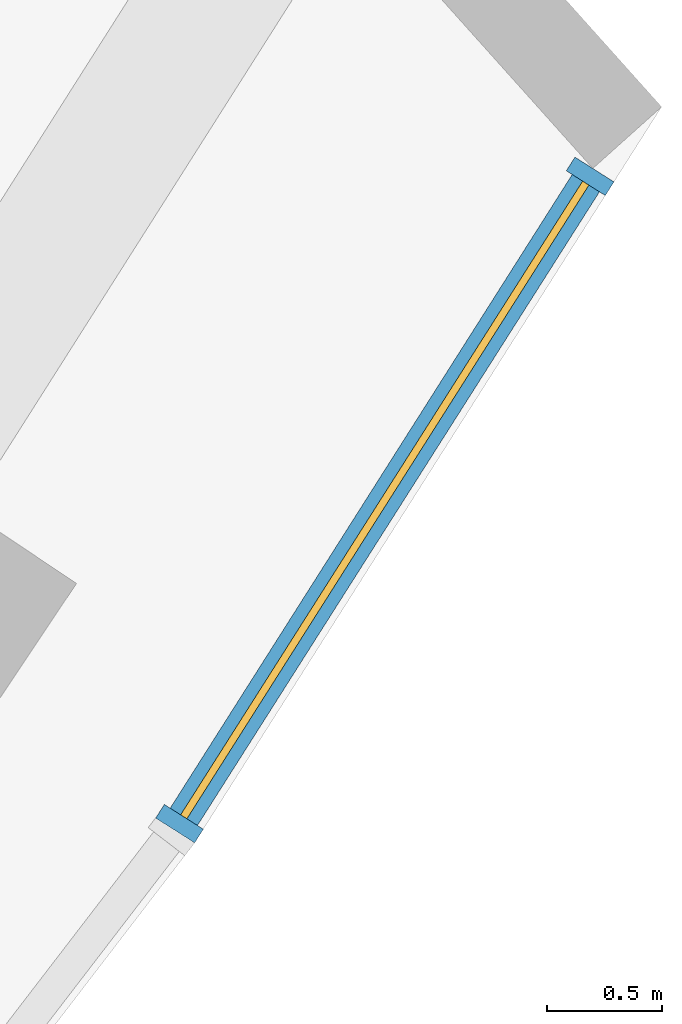
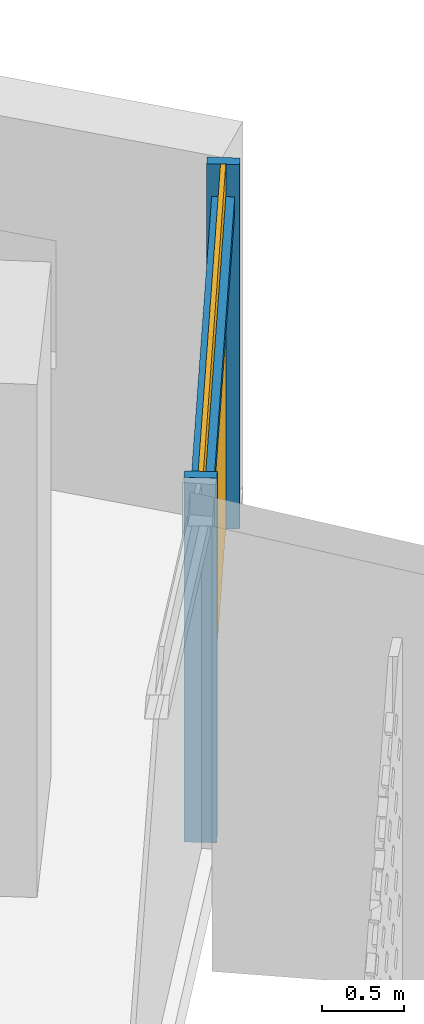
# One storey, part 23 of 31: 3 members, 1 curtain wall.
"""IFC4 building model written with IfcOpenShell, lengths in metres."""

from ifc_helpers import new_model, si_unit, direction, frame, origin, origin_2d, place, context, subcontext, project, spatial, rectangle, extrude, material, material_profile, profile_set, type_object, element, aggregate, save


model = new_model("IFC4")

# Units and contexts
model_context = context("Model", 3, precision=1e-05, world=origin(), true_north=direction((0.0, 1.0)))
body_context = subcontext(model_context, "Body", "Model", "MODEL_VIEW")
ifc_project = project(units=[si_unit("LENGTHUNIT", "METRE"), si_unit("AREAUNIT", "SQUARE_METRE"), si_unit("VOLUMEUNIT", "CUBIC_METRE"), si_unit("PLANEANGLEUNIT", "RADIAN"), si_unit("MASSUNIT", "GRAM", prefix="KILO")], contexts=[model_context])

# Member
ifc_material = material(Name="Aluminium 6063-T6 anodised", Category="aluminium")
ifc_material_profile_1 = material_profile(ifc_material, rectangle(XDim=0.199951171875, YDim=0.070068359375, at=origin_2d()))
ifc_profile_set_1 = profile_set([ifc_material_profile_1], Name="Aluminium 6063-T6 anodised")
member_type_1 = type_object("IfcMemberType", Name="Mullion 70 x 200 aluminium", PredefinedType="MULLION", material=ifc_profile_set_1)
site_placement = place(None, origin())
building_placement = place(site_placement, origin())
storey_placement = place(building_placement, frame((0.0, 0.0, 86.10009765625)))
member_1_placement = place(storey_placement, frame((66.160888671875, -44.16796875, 0.0), z_axis=(0.0, 0.0, 1.0), x_axis=(-0.844405785473, 0.535704087589, 0.0)))
member_1 = element("IfcMember", 1, at=member_1_placement, type_object=member_type_1, Name="e-cw1-L18-out16/M00", PredefinedType="MULLION", context=body_context, shape_type="SweptSolid", body=[
    extrude(rectangle(XDim=0.199951171875, YDim=0.070068359375, at=origin_2d()), origin(), (0.0, 0.0, 1.0), 2.699951171875),
])

member_2_placement = place(storey_placement, frame((67.93994140625, -41.363525390625, 0.0), z_axis=(0.0, 0.0, 1.0), x_axis=(-0.844405785473, 0.535704087589, 0.0)))
member_2 = element("IfcMember", 2, at=member_2_placement, type_object=member_type_1, Name="e-cw1-L18-out16/M01", PredefinedType="MULLION", context=body_context, shape_type="SweptSolid", body=[
    extrude(rectangle(XDim=0.199951171875, YDim=0.070068359375, at=origin_2d()), origin(), (0.0, 0.0, 1.0), 2.699951171875),
])

ifc_material_profile_2 = material_profile(ifc_material, rectangle(XDim=0.139892578125, YDim=0.1201171875, at=origin_2d()))
ifc_profile_set_2 = profile_set([ifc_material_profile_2], Name="Aluminium 6063-T6 anodised")
member_type_2 = type_object("IfcMemberType", Name="Transom 120 x 140 aluminium", PredefinedType="USERDEFINED", material=ifc_profile_set_2)
member_3_placement = place(storey_placement, frame((66.1796875, -44.138427734375, 2.39990234375), z_axis=(0.535703986683, 0.844405849489, 0.0), x_axis=(-0.844405849489, 0.535703986683, 0.0)))
member_3 = element("IfcMember", 3, at=member_3_placement, type_object=member_type_2, Name="e-cw1-L18-out16/T00", ObjectType="TRANSOM", PredefinedType="USERDEFINED", context=body_context, shape_type="SweptSolid", body=[
    extrude(rectangle(XDim=0.139892578125, YDim=0.1201171875, at=origin_2d()), origin(), (0.0, 0.0, 1.0), 3.251220703125),
])

# Site, building, storey
site = spatial("IfcSite", under=ifc_project, at=site_placement, CompositionType="ELEMENT")
building = spatial("IfcBuilding", under=site, at=building_placement, Name="Qamariyya Broadcast Tower", CompositionType="ELEMENT")
storey = spatial("IfcBuildingStorey", under=building, at=storey_placement, Name="L18", CompositionType="ELEMENT", Elevation=86.10009765625)

# Curtain wall
curtain_wall_type = type_object("IfcCurtainWallType", Name="Unitised curtain wall, anodised aluminium", PredefinedType="NOTDEFINED", material=ifc_material)
curtain_wall_placement = place(storey_placement, origin())
curtain_wall = element("IfcCurtainWall", 4, at=curtain_wall_placement, inside=storey, type_object=curtain_wall_type, Name="e-cw1-L18-out16", PredefinedType="NOTDEFINED", context=body_context, shape_type="SweptSolid", body=[
    extrude(rectangle(XDim=3.251220703125, YDim=0.031982421875, at=origin_2d()), frame((67.05029296875, -42.765625, 0.0), x_axis=(0.53570106056, 0.84440770586, 0.0)), (0.0, 0.0, 1.0), 2.340087890625),
    extrude(rectangle(XDim=3.251220703125, YDim=0.031982421875, at=origin_2d()), frame((67.05029296875, -42.765625, 2.4599609375), x_axis=(0.53570106056, 0.84440770586, 0.0)), (0.0, 0.0, 1.0), 0.239990234375),
])

aggregate(curtain_wall, [member_1, member_2, member_3])

save(model, "model.ifc")
